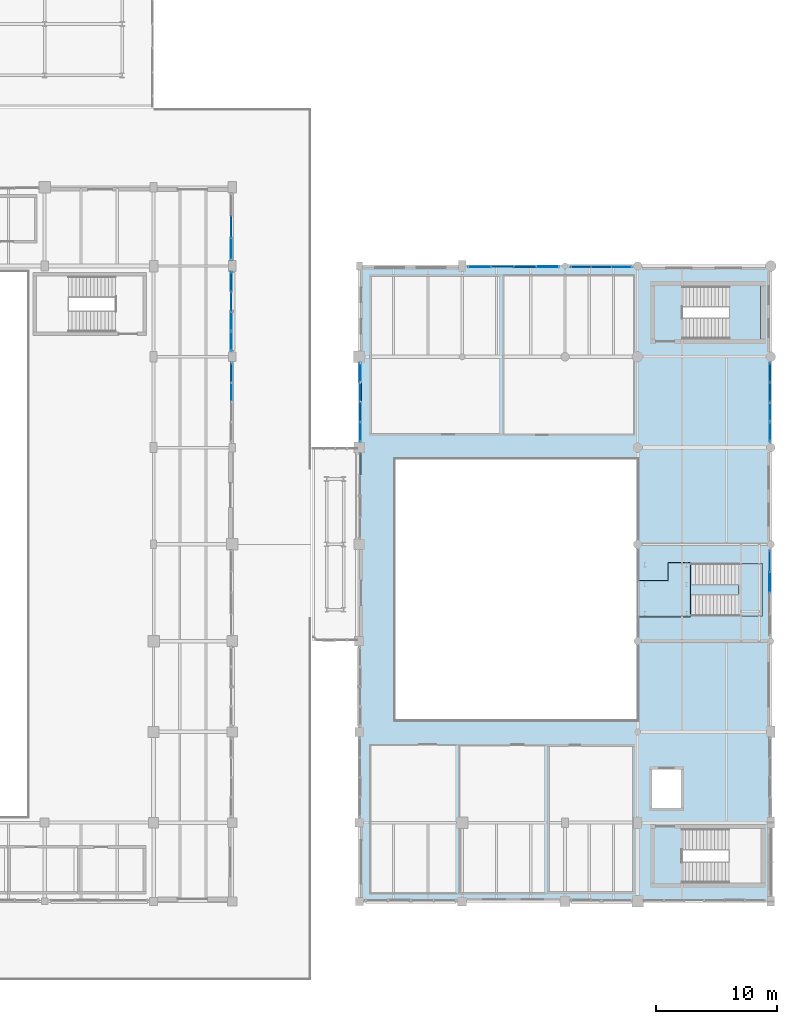
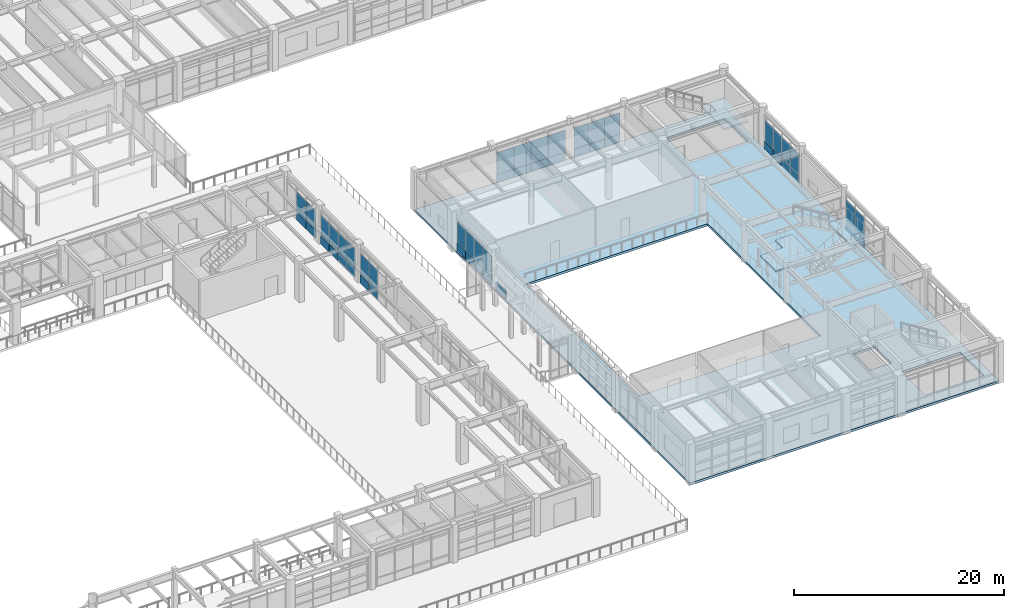
# One storey, part 165 of 200: 51 plates, 4 slabs, 11 elements without a shape of their own.
"""IFC4 building model written with IfcOpenShell, lengths in metres."""

from ifc_helpers import new_model, si_unit, direction, frame, origin, origin_2d, place, context, subcontext, project, spatial, polyline, rectangle, outline, extrude, material, layer, layer_set, type_object, element, aggregate, save


model = new_model("IFC4")

# Units and contexts
model_context = context("Model", 3, precision=1e-05, world=origin(), true_north=direction((0.0, 1.0)))
body_context = subcontext(model_context, "Body", "Model", "MODEL_VIEW")
ifc_project = project(units=[si_unit("LENGTHUNIT", "METRE"), si_unit("AREAUNIT", "SQUARE_METRE"), si_unit("VOLUMEUNIT", "CUBIC_METRE"), si_unit("PLANEANGLEUNIT", "RADIAN"), si_unit("MASSUNIT", "GRAM", prefix="KILO"), si_unit("THERMODYNAMICTEMPERATUREUNIT", "KELVIN"), si_unit("POWERUNIT", "WATT")], contexts=[model_context])

# Site, building, storey
site_placement = place(None, origin())
site = spatial("IfcSite", under=ifc_project, at=site_placement, CompositionType="ELEMENT")
building_placement = place(site_placement, origin())
building = spatial("IfcBuilding", under=site, at=building_placement, Name="Tepalcoro Natatorium and Aquatics Centre", CompositionType="ELEMENT")
storey_placement = place(building_placement, frame((0.0, 0.0, 5.39990234375)))
storey = spatial("IfcBuildingStorey", under=building, at=storey_placement, Name="L01", CompositionType="ELEMENT", Elevation=5.39990234375)

# Curtain wall, plates
ifc_material_1 = material(Name="Bronze-Anodised Extruded Aluminium Alloy EN AW-6063 T6", Category="aluminium")
curtain_wall_type_1 = type_object("IfcCurtainWallType", Name="CW_V4_VILLAGE", PredefinedType="USERDEFINED", material=ifc_material_1)
curtain_wall_1_placement = place(storey_placement, origin())
curtain_wall_1 = element("IfcCurtainWall", 1, at=curtain_wall_1_placement, inside=storey, type_object=curtain_wall_type_1, Name="V1 L01 E Unitised Curtain Wall Bay 7", ObjectType="UNITISED STOREFRONT", PredefinedType="USERDEFINED")
ifc_material_2 = material(Name="Solar-Control Bronze Tempered Low-E Double Glazing", Category="glass")
ifc_layer_1 = layer(ifc_material_2, 0.048095703125)
ifc_layer_set_1 = layer_set([ifc_layer_1], Name="Solar-Control Bronze Tempered Low-E Double Glazing")
plate_type_1 = type_object("IfcPlateType", Name="PL_ACOUSTIC_IGU_48", PredefinedType="CURTAIN_PANEL", material=ifc_layer_set_1)
plate_1_placement = place(storey_placement, frame((131.419921875, 52.797607421875, 0.9599609375), z_axis=(0.0, 0.0, 1.0), x_axis=(1.0, 0.0, 0.0)))
plate_1 = element("IfcPlate", 2, at=plate_1_placement, type_object=plate_type_1, Name="CW_V4_VILLAGE Insulated Glazing Unit", PredefinedType="CURTAIN_PANEL", context=body_context, shape_type="SweptSolid", body=[
    extrude(rectangle(XDim=0.048095703125, YDim=1.614990234375, at=origin_2d()), origin(), (0.0, 0.0, 1.0), 2.39404296875),
])
plate_2_placement = place(storey_placement, frame((131.419921875, 57.702392578125, 0.9599609375), z_axis=(0.0, 0.0, 1.0), x_axis=(1.0, 0.0, 0.0)))
plate_2 = element("IfcPlate", 3, at=plate_2_placement, type_object=plate_type_1, Name="CW_V4_VILLAGE Insulated Glazing Unit", PredefinedType="CURTAIN_PANEL", context=body_context, shape_type="SweptSolid", body=[
    extrude(rectangle(XDim=0.048095703125, YDim=1.614990234375, at=origin_2d()), origin(), (0.0, 0.0, 1.0), 2.39404296875),
])

curtain_wall_type_2 = type_object("IfcCurtainWallType", Name="CW_LEAN_T1_EW", PredefinedType="USERDEFINED", material=ifc_material_1)
curtain_wall_2_placement = place(storey_placement, origin())
curtain_wall_2 = element("IfcCurtainWall", 4, at=curtain_wall_2_placement, inside=storey, type_object=curtain_wall_type_2, Name="V2 L01 N Unitised Curtain Wall Bay 2", ObjectType="FACETED SOLAR GLAZING", PredefinedType="USERDEFINED")
plate_3_placement = place(storey_placement, frame((151.922607421875, 58.9287109375, 0.9599609375), z_axis=(0.0, 0.0, 1.0), x_axis=(1.0, 0.0, 0.0)))
plate_3 = element("IfcPlate", 5, at=plate_3_placement, type_object=plate_type_1, Name="CW_LEAN_T1_EW Insulated Glazing Unit", PredefinedType="CURTAIN_PANEL", context=body_context, shape_type="SweptSolid", body=[
    extrude(rectangle(XDim=1.864990234375, YDim=0.048095703125, at=origin_2d()), origin(), (0.0, 0.0, 1.0), 2.550048828125),
])
plate_4_placement = place(storey_placement, frame((157.577392578125, 58.9287109375, 0.9599609375), z_axis=(0.0, 0.0, 1.0), x_axis=(1.0, 0.0, 0.0)))
plate_4 = element("IfcPlate", 6, at=plate_4_placement, type_object=plate_type_1, Name="CW_LEAN_T1_EW Insulated Glazing Unit", PredefinedType="CURTAIN_PANEL", context=body_context, shape_type="SweptSolid", body=[
    extrude(rectangle(XDim=1.864990234375, YDim=0.048095703125, at=origin_2d()), origin(), (0.0, 0.0, 1.0), 2.550048828125),
])

# Curtain wall, plate
curtain_wall_type_3 = type_object("IfcCurtainWallType", Name="CW_LEAN_T2_NS", PredefinedType="USERDEFINED", material=ifc_material_1)
curtain_wall_3_placement = place(storey_placement, origin())
curtain_wall_3 = element("IfcCurtainWall", 7, at=curtain_wall_3_placement, inside=storey, type_object=curtain_wall_type_3, Name="V2 L01 N Unitised Curtain Wall Bay 3", ObjectType="FACETED SOLAR GLAZING", PredefinedType="USERDEFINED")
plate_5_placement = place(storey_placement, frame((163.679931640625, 58.923828125, 0.9599609375), z_axis=(0.0, 0.0, 1.0), x_axis=(1.0, 0.0, 0.0)))
plate_5 = element("IfcPlate", 8, at=plate_5_placement, type_object=plate_type_1, Name="CW_LEAN_T2_NS Insulated Glazing Unit", PredefinedType="CURTAIN_PANEL", context=body_context, shape_type="SweptSolid", body=[
    extrude(rectangle(XDim=1.659912109375, YDim=0.048095703125, at=origin_2d()), origin(), (0.0, 0.0, 1.0), 2.47412109375),
])

curtain_wall_type_4 = type_object("IfcCurtainWallType", Name="CW_V1_PLINTH", PredefinedType="USERDEFINED", material=ifc_material_1)
curtain_wall_4_placement = place(storey_placement, origin())
curtain_wall_4 = element("IfcCurtainWall", 9, at=curtain_wall_4_placement, inside=storey, type_object=curtain_wall_type_4, Name="V2 L01 W Unitised Curtain Wall Bay 6", ObjectType="UNITISED STOREFRONT", PredefinedType="USERDEFINED")
plate_6_placement = place(storey_placement, frame((142.090087890625, 46.9326171875, 0.960205078125), z_axis=(0.0, 0.0, 1.0), x_axis=(1.0, 0.0, 0.0)))
plate_6 = element("IfcPlate", 10, at=plate_6_placement, type_object=plate_type_1, Name="CW_V1_PLINTH Insulated Glazing Unit", PredefinedType="CURTAIN_PANEL", context=body_context, shape_type="SweptSolid", body=[
    extrude(rectangle(XDim=0.048095703125, YDim=1.614990234375, at=origin_2d()), origin(), (0.0, 0.0, 1.0), 2.39794921875),
])

# Curtain wall, plates
curtain_wall_type_5 = type_object("IfcCurtainWallType", Name="CW_V3_FOYER", PredefinedType="USERDEFINED", material=ifc_material_1)
curtain_wall_5_placement = place(storey_placement, origin())
curtain_wall_5 = element("IfcCurtainWall", 11, at=curtain_wall_5_placement, inside=storey, type_object=curtain_wall_type_5, Name="V2 L01 E Unitised Curtain Wall Bay 6", ObjectType="UNITISED STOREFRONT", PredefinedType="USERDEFINED")
plate_7_placement = place(storey_placement, frame((175.9287109375, 45.297607421875, 0.960205078125), z_axis=(0.0, 0.0, 1.0), x_axis=(1.0, 0.0, 0.0)))
plate_7 = element("IfcPlate", 12, at=plate_7_placement, type_object=plate_type_1, Name="CW_V3_FOYER Insulated Glazing Unit", PredefinedType="CURTAIN_PANEL", context=body_context, shape_type="SweptSolid", body=[
    extrude(rectangle(XDim=0.048095703125, YDim=1.614990234375, at=origin_2d()), origin(), (0.0, 0.0, 1.0), 2.39794921875),
])
plate_8_placement = place(storey_placement, frame((175.9287109375, 50.202392578125, 0.960205078125), z_axis=(0.0, 0.0, 1.0), x_axis=(1.0, 0.0, 0.0)))
plate_8 = element("IfcPlate", 13, at=plate_8_placement, type_object=plate_type_1, Name="CW_V3_FOYER Insulated Glazing Unit", PredefinedType="CURTAIN_PANEL", context=body_context, shape_type="SweptSolid", body=[
    extrude(rectangle(XDim=0.048095703125, YDim=1.614990234375, at=origin_2d()), origin(), (0.0, 0.0, 1.0), 2.39794921875),
])

# Curtain wall, plate
curtain_wall_6_placement = place(storey_placement, origin())
curtain_wall_6 = element("IfcCurtainWall", 14, at=curtain_wall_6_placement, inside=storey, type_object=curtain_wall_type_5, Name="V1 L01 E Unitised Curtain Wall Bay 6", ObjectType="UNITISED STOREFRONT", PredefinedType="USERDEFINED")
ifc_layer_2 = layer(ifc_material_2, 0.028076171875)
ifc_layer_set_2 = layer_set([ifc_layer_2], Name="Solar-Control Bronze Tempered Low-E Double Glazing")
plate_type_2 = type_object("IfcPlateType", Name="PL_BRONZE_IGU_28", PredefinedType="CURTAIN_PANEL", material=ifc_layer_set_2)
plate_9_placement = place(storey_placement, frame((131.4287109375, 50.202392578125, 0.9599609375), z_axis=(0.0, 0.0, 1.0), x_axis=(1.0, 0.0, 0.0)))
plate_9 = element("IfcPlate", 15, at=plate_9_placement, type_object=plate_type_2, Name="CW_V3_FOYER Insulated Glazing Unit", PredefinedType="CURTAIN_PANEL", context=body_context, shape_type="SweptSolid", body=[
    extrude(rectangle(XDim=0.028076171875, YDim=1.614990234375, at=origin_2d()), origin(), (0.0, 0.0, 1.0), 2.469970703125),
])

# Plate
plate_10_placement = place(storey_placement, frame((131.419921875, 56.0673828125, 0.9599609375), z_axis=(0.0, 0.0, 1.0), x_axis=(1.0, 0.0, 0.0)))
plate_10 = element("IfcPlate", 16, at=plate_10_placement, type_object=plate_type_2, Name="CW_V4_VILLAGE Insulated Glazing Unit", PredefinedType="CURTAIN_PANEL", context=body_context, shape_type="SweptSolid", body=[
    extrude(rectangle(XDim=0.028076171875, YDim=1.614990234375, at=origin_2d()), origin(), (0.0, 0.0, 1.0), 2.39404296875),
])

# Curtain wall, plate
curtain_wall_type_6 = type_object("IfcCurtainWallType", Name="CW_V5_LOWER", PredefinedType="USERDEFINED", material=ifc_material_1)
curtain_wall_7_placement = place(storey_placement, origin())
curtain_wall_7 = element("IfcCurtainWall", 17, at=curtain_wall_7_placement, inside=storey, type_object=curtain_wall_type_6, Name="V1 L01 E Unitised Curtain Wall Bay 8", ObjectType="UNITISED STOREFRONT", PredefinedType="USERDEFINED")
plate_11_placement = place(storey_placement, frame((131.419921875, 62.25, 0.9599609375), z_axis=(0.0, 0.0, 1.0), x_axis=(1.0, 0.0, 0.0)))
plate_11 = element("IfcPlate", 18, at=plate_11_placement, type_object=plate_type_2, Name="CW_V5_LOWER Insulated Glazing Unit", PredefinedType="CURTAIN_PANEL", context=body_context, shape_type="SweptSolid", body=[
    extrude(rectangle(XDim=0.028076171875, YDim=1.82666015625, at=origin_2d()), origin(), (0.0, 0.0, 1.0), 2.318115234375),
])

# Plate
plate_12_placement = place(storey_placement, frame((155.6923828125, 58.9287109375, 0.9599609375), z_axis=(0.0, 0.0, 1.0), x_axis=(1.0, 0.0, 0.0)))
plate_12 = element("IfcPlate", 19, at=plate_12_placement, type_object=plate_type_2, Name="CW_LEAN_T1_EW Insulated Glazing Unit", PredefinedType="CURTAIN_PANEL", context=body_context, shape_type="SweptSolid", body=[
    extrude(rectangle(XDim=1.864990234375, YDim=0.028076171875, at=origin_2d()), origin(), (0.0, 0.0, 1.0), 2.550048828125),
])

plate_13_placement = place(storey_placement, frame((162.0, 58.923828125, 0.9599609375), z_axis=(0.0, 0.0, 1.0), x_axis=(1.0, 0.0, 0.0)))
plate_13 = element("IfcPlate", 20, at=plate_13_placement, type_object=plate_type_2, Name="CW_LEAN_T2_NS Insulated Glazing Unit", PredefinedType="CURTAIN_PANEL", context=body_context, shape_type="SweptSolid", body=[
    extrude(rectangle(XDim=1.659912109375, YDim=0.028076171875, at=origin_2d()), origin(), (0.0, 0.0, 1.0), 2.47412109375),
])

plate_14_placement = place(storey_placement, frame((142.090087890625, 45.297607421875, 0.960205078125), z_axis=(0.0, 0.0, 1.0), x_axis=(1.0, 0.0, 0.0)))
plate_14 = element("IfcPlate", 21, at=plate_14_placement, type_object=plate_type_2, Name="CW_V1_PLINTH Insulated Glazing Unit", PredefinedType="CURTAIN_PANEL", context=body_context, shape_type="SweptSolid", body=[
    extrude(rectangle(XDim=0.028076171875, YDim=1.614990234375, at=origin_2d()), origin(), (0.0, 0.0, 1.0), 2.39794921875),
])

plate_15_placement = place(storey_placement, frame((142.090087890625, 50.202392578125, 0.960205078125), z_axis=(0.0, 0.0, 1.0), x_axis=(1.0, 0.0, 0.0)))
plate_15 = element("IfcPlate", 22, at=plate_15_placement, type_object=plate_type_2, Name="CW_V1_PLINTH Insulated Glazing Unit", PredefinedType="CURTAIN_PANEL", context=body_context, shape_type="SweptSolid", body=[
    extrude(rectangle(XDim=0.028076171875, YDim=1.614990234375, at=origin_2d()), origin(), (0.0, 0.0, 1.0), 2.39794921875),
])

# Curtain wall, plate
curtain_wall_8_placement = place(storey_placement, origin())
curtain_wall_8 = element("IfcCurtainWall", 23, at=curtain_wall_8_placement, inside=storey, type_object=curtain_wall_type_4, Name="V2 L01 E Unitised Curtain Wall Bay 4", ObjectType="UNITISED STOREFRONT", PredefinedType="USERDEFINED")
plate_16_placement = place(storey_placement, frame((175.909912109375, 34.639892578125, 0.9599609375), z_axis=(0.0, 0.0, 1.0), x_axis=(1.0, 0.0, 0.0)))
plate_16 = element("IfcPlate", 24, at=plate_16_placement, type_object=plate_type_2, Name="CW_V1_PLINTH Insulated Glazing Unit", PredefinedType="CURTAIN_PANEL", context=body_context, shape_type="SweptSolid", body=[
    extrude(rectangle(XDim=0.028076171875, YDim=1.739990234375, at=origin_2d()), origin(), (0.0, 0.0, 1.0), 2.550048828125),
])

# Plate
plate_17_placement = place(storey_placement, frame((175.9287109375, 48.5673828125, 0.960205078125), z_axis=(0.0, 0.0, 1.0), x_axis=(1.0, 0.0, 0.0)))
plate_17 = element("IfcPlate", 25, at=plate_17_placement, type_object=plate_type_2, Name="CW_V3_FOYER Insulated Glazing Unit", PredefinedType="CURTAIN_PANEL", context=body_context, shape_type="SweptSolid", body=[
    extrude(rectangle(XDim=0.028076171875, YDim=1.614990234375, at=origin_2d()), origin(), (0.0, 0.0, 1.0), 2.39794921875),
])

ifc_material_3 = material(Name="Jalisco Cantera Rosa Volcanic Tuff Ashlar Masonry", Category="masonry")
ifc_layer_3 = layer(ifc_material_3, 0.090087890625)
ifc_layer_set_3 = layer_set([ifc_layer_3], Name="Jalisco Cantera Rosa Volcanic Tuff Ashlar Masonry")
plate_type_3 = type_object("IfcPlateType", Name="PL_CANTERA_90", PredefinedType="SHEET", material=ifc_layer_set_3)
plate_18_placement = place(storey_placement, frame((131.4287109375, 50.202392578125, 0.044921875), z_axis=(0.0, 0.0, 1.0), x_axis=(1.0, 0.0, 0.0)))
plate_18 = element("IfcPlate", 26, at=plate_18_placement, type_object=plate_type_3, Name="CW_V3_FOYER Spandrel & Screen Panel", PredefinedType="SHEET", context=body_context, shape_type="SweptSolid", body=[
    extrude(rectangle(XDim=0.090087890625, YDim=1.614990234375, at=origin_2d()), origin(), (0.0, 0.0, 1.0), 0.909912109375),
])

plate_19_placement = place(storey_placement, frame((131.419921875, 56.0673828125, 0.044921875), z_axis=(0.0, 0.0, 1.0), x_axis=(1.0, 0.0, 0.0)))
plate_19 = element("IfcPlate", 27, at=plate_19_placement, type_object=plate_type_3, Name="CW_V4_VILLAGE Spandrel & Screen Panel", PredefinedType="SHEET", context=body_context, shape_type="SweptSolid", body=[
    extrude(rectangle(XDim=0.090087890625, YDim=1.614990234375, at=origin_2d()), origin(), (0.0, 0.0, 1.0), 0.909912109375),
])

plate_20_placement = place(storey_placement, frame((131.419921875, 62.25, 0.044921875), z_axis=(0.0, 0.0, 1.0), x_axis=(1.0, 0.0, 0.0)))
plate_20 = element("IfcPlate", 28, at=plate_20_placement, type_object=plate_type_3, Name="CW_V5_LOWER Spandrel & Screen Panel", PredefinedType="SHEET", context=body_context, shape_type="SweptSolid", body=[
    extrude(rectangle(XDim=0.090087890625, YDim=1.82666015625, at=origin_2d()), origin(), (0.0, 0.0, 1.0), 0.909912109375),
])

plate_21_placement = place(storey_placement, frame((153.8076171875, 58.9287109375, 0.044921875), z_axis=(0.0, 0.0, 1.0), x_axis=(1.0, 0.0, 0.0)))
plate_21 = element("IfcPlate", 29, at=plate_21_placement, type_object=plate_type_3, Name="CW_LEAN_T1_EW Spandrel & Screen Panel", PredefinedType="SHEET", context=body_context, shape_type="SweptSolid", body=[
    extrude(rectangle(XDim=1.864990234375, YDim=0.090087890625, at=origin_2d()), origin(), (0.0, 0.0, 1.0), 0.909912109375),
])

plate_22_placement = place(storey_placement, frame((160.320068359375, 58.923828125, 0.044921875), z_axis=(0.0, 0.0, 1.0), x_axis=(1.0, 0.0, 0.0)))
plate_22 = element("IfcPlate", 30, at=plate_22_placement, type_object=plate_type_3, Name="CW_LEAN_T2_NS Spandrel & Screen Panel", PredefinedType="SHEET", context=body_context, shape_type="SweptSolid", body=[
    extrude(rectangle(XDim=1.659912109375, YDim=0.090087890625, at=origin_2d()), origin(), (0.0, 0.0, 1.0), 0.909912109375),
])

plate_23_placement = place(storey_placement, frame((142.090087890625, 46.9326171875, 0.044921875), z_axis=(0.0, 0.0, 1.0), x_axis=(1.0, 0.0, 0.0)))
plate_23 = element("IfcPlate", 31, at=plate_23_placement, type_object=plate_type_3, Name="CW_V1_PLINTH Spandrel & Screen Panel", PredefinedType="SHEET", context=body_context, shape_type="SweptSolid", body=[
    extrude(rectangle(XDim=0.090087890625, YDim=1.614990234375, at=origin_2d()), origin(), (0.0, 0.0, 1.0), 0.909912109375),
])

plate_24_placement = place(storey_placement, frame((175.909912109375, 34.639892578125, 0.044921875), z_axis=(0.0, 0.0, 1.0), x_axis=(1.0, 0.0, 0.0)))
plate_24 = element("IfcPlate", 32, at=plate_24_placement, type_object=plate_type_3, Name="CW_V1_PLINTH Spandrel & Screen Panel", PredefinedType="SHEET", context=body_context, shape_type="SweptSolid", body=[
    extrude(rectangle(XDim=0.090087890625, YDim=1.739990234375, at=origin_2d()), origin(), (0.0, 0.0, 1.0), 0.909912109375),
])

plate_25_placement = place(storey_placement, frame((175.9287109375, 48.5673828125, 0.044921875), z_axis=(0.0, 0.0, 1.0), x_axis=(1.0, 0.0, 0.0)))
plate_25 = element("IfcPlate", 33, at=plate_25_placement, type_object=plate_type_3, Name="CW_V3_FOYER Spandrel & Screen Panel", PredefinedType="SHEET", context=body_context, shape_type="SweptSolid", body=[
    extrude(rectangle(XDim=0.090087890625, YDim=1.614990234375, at=origin_2d()), origin(), (0.0, 0.0, 1.0), 0.909912109375),
])

ifc_material_4 = material(Name="Clear Tempered Low-E Safety Glazing", Category="glass")
ifc_layer_4 = layer(ifc_material_4, 0.011962890625)
ifc_layer_set_4 = layer_set([ifc_layer_4], Name="Clear Tempered Low-E Safety Glazing")
plate_type_4 = type_object("IfcPlateType", Name="PL_GLASS_12", PredefinedType="CURTAIN_PANEL", material=ifc_layer_set_4)
plate_26_placement = place(storey_placement, frame((131.4287109375, 48.5673828125, 0.9599609375), z_axis=(0.0, 0.0, 1.0), x_axis=(1.0, 0.0, 0.0)))
plate_26 = element("IfcPlate", 34, at=plate_26_placement, type_object=plate_type_4, Name="CW_V3_FOYER Insulated Glazing Unit", PredefinedType="CURTAIN_PANEL", context=body_context, shape_type="SweptSolid", body=[
    extrude(rectangle(XDim=0.011962890625, YDim=1.614990234375, at=origin_2d()), origin(), (0.0, 0.0, 1.0), 2.469970703125),
])

plate_27_placement = place(storey_placement, frame((131.419921875, 54.4326171875, 0.9599609375), z_axis=(0.0, 0.0, 1.0), x_axis=(1.0, 0.0, 0.0)))
plate_27 = element("IfcPlate", 35, at=plate_27_placement, type_object=plate_type_4, Name="CW_V4_VILLAGE Insulated Glazing Unit", PredefinedType="CURTAIN_PANEL", context=body_context, shape_type="SweptSolid", body=[
    extrude(rectangle(XDim=0.011962890625, YDim=1.614990234375, at=origin_2d()), origin(), (0.0, 0.0, 1.0), 2.39404296875),
])

plate_28_placement = place(storey_placement, frame((131.419921875, 60.4033203125, 0.9599609375), z_axis=(0.0, 0.0, 1.0), x_axis=(1.0, 0.0, 0.0)))
plate_28 = element("IfcPlate", 36, at=plate_28_placement, type_object=plate_type_4, Name="CW_V5_LOWER Insulated Glazing Unit", PredefinedType="CURTAIN_PANEL", context=body_context, shape_type="SweptSolid", body=[
    extrude(rectangle(XDim=0.011962890625, YDim=1.82666015625, at=origin_2d()), origin(), (0.0, 0.0, 1.0), 2.318115234375),
])

plate_29_placement = place(storey_placement, frame((153.8076171875, 58.9287109375, 0.9599609375), z_axis=(0.0, 0.0, 1.0), x_axis=(1.0, 0.0, 0.0)))
plate_29 = element("IfcPlate", 37, at=plate_29_placement, type_object=plate_type_4, Name="CW_LEAN_T1_EW Insulated Glazing Unit", PredefinedType="CURTAIN_PANEL", context=body_context, shape_type="SweptSolid", body=[
    extrude(rectangle(XDim=1.864990234375, YDim=0.011962890625, at=origin_2d()), origin(), (0.0, 0.0, 1.0), 2.550048828125),
])

plate_30_placement = place(storey_placement, frame((160.320068359375, 58.923828125, 0.9599609375), z_axis=(0.0, 0.0, 1.0), x_axis=(1.0, 0.0, 0.0)))
plate_30 = element("IfcPlate", 38, at=plate_30_placement, type_object=plate_type_4, Name="CW_LEAN_T2_NS Insulated Glazing Unit", PredefinedType="CURTAIN_PANEL", context=body_context, shape_type="SweptSolid", body=[
    extrude(rectangle(XDim=1.659912109375, YDim=0.011962890625, at=origin_2d()), origin(), (0.0, 0.0, 1.0), 2.47412109375),
])

plate_31_placement = place(storey_placement, frame((142.090087890625, 48.5673828125, 0.960205078125), z_axis=(0.0, 0.0, 1.0), x_axis=(1.0, 0.0, 0.0)))
plate_31 = element("IfcPlate", 39, at=plate_31_placement, type_object=plate_type_4, Name="CW_V1_PLINTH Insulated Glazing Unit", PredefinedType="CURTAIN_PANEL", context=body_context, shape_type="SweptSolid", body=[
    extrude(rectangle(XDim=0.011962890625, YDim=1.614990234375, at=origin_2d()), origin(), (0.0, 0.0, 1.0), 2.39794921875),
])

plate_32_placement = place(storey_placement, frame((175.909912109375, 32.8798828125, 0.9599609375), z_axis=(0.0, 0.0, 1.0), x_axis=(1.0, 0.0, 0.0)))
plate_32 = element("IfcPlate", 40, at=plate_32_placement, type_object=plate_type_4, Name="CW_V1_PLINTH Insulated Glazing Unit", PredefinedType="CURTAIN_PANEL", context=body_context, shape_type="SweptSolid", body=[
    extrude(rectangle(XDim=0.011962890625, YDim=1.739990234375, at=origin_2d()), origin(), (0.0, 0.0, 1.0), 2.550048828125),
])

plate_33_placement = place(storey_placement, frame((175.9287109375, 46.9326171875, 0.960205078125), z_axis=(0.0, 0.0, 1.0), x_axis=(1.0, 0.0, 0.0)))
plate_33 = element("IfcPlate", 41, at=plate_33_placement, type_object=plate_type_4, Name="CW_V3_FOYER Insulated Glazing Unit", PredefinedType="CURTAIN_PANEL", context=body_context, shape_type="SweptSolid", body=[
    extrude(rectangle(XDim=0.011962890625, YDim=1.614990234375, at=origin_2d()), origin(), (0.0, 0.0, 1.0), 2.39794921875),
])

ifc_material_5 = material(Name="Volcanic Recinto Basalt Ashlar Masonry", Category="masonry")
ifc_layer_5 = layer(ifc_material_5, 0.110107421875)
ifc_layer_set_5 = layer_set([ifc_layer_5], Name="Volcanic Recinto Basalt Ashlar Masonry")
plate_type_5 = type_object("IfcPlateType", Name="PL_RECINTO_110", PredefinedType="SHEET", material=ifc_layer_set_5)
plate_34_placement = place(storey_placement, frame((131.419921875, 57.702392578125, 0.044921875), z_axis=(0.0, 0.0, 1.0), x_axis=(1.0, 0.0, 0.0)))
plate_34 = element("IfcPlate", 42, at=plate_34_placement, type_object=plate_type_5, Name="CW_V4_VILLAGE Spandrel & Screen Panel", PredefinedType="SHEET", context=body_context, shape_type="SweptSolid", body=[
    extrude(rectangle(XDim=0.110107421875, YDim=1.614990234375, at=origin_2d()), origin(), (0.0, 0.0, 1.0), 0.909912109375),
])

plate_35_placement = place(storey_placement, frame((155.6923828125, 58.9287109375, 0.044921875), z_axis=(0.0, 0.0, 1.0), x_axis=(1.0, 0.0, 0.0)))
plate_35 = element("IfcPlate", 43, at=plate_35_placement, type_object=plate_type_5, Name="CW_LEAN_T1_EW Spandrel & Screen Panel", PredefinedType="SHEET", context=body_context, shape_type="SweptSolid", body=[
    extrude(rectangle(XDim=1.864990234375, YDim=0.110107421875, at=origin_2d()), origin(), (0.0, 0.0, 1.0), 0.909912109375),
])

plate_36_placement = place(storey_placement, frame((162.0, 58.923828125, 0.044921875), z_axis=(0.0, 0.0, 1.0), x_axis=(1.0, 0.0, 0.0)))
plate_36 = element("IfcPlate", 44, at=plate_36_placement, type_object=plate_type_5, Name="CW_LEAN_T2_NS Spandrel & Screen Panel", PredefinedType="SHEET", context=body_context, shape_type="SweptSolid", body=[
    extrude(rectangle(XDim=1.659912109375, YDim=0.110107421875, at=origin_2d()), origin(), (0.0, 0.0, 1.0), 0.909912109375),
])

# Curtain wall, plate
curtain_wall_type_7 = type_object("IfcCurtainWallType", Name="CW_LEAN_T2_EW", PredefinedType="USERDEFINED", material=ifc_material_1)
curtain_wall_9_placement = place(storey_placement, origin())
curtain_wall_9 = element("IfcCurtainWall", 45, at=curtain_wall_9_placement, inside=storey, type_object=curtain_wall_type_7, Name="V2 L01 W Unitised Curtain Wall Bay 5", ObjectType="FACETED SOLAR GLAZING", PredefinedType="USERDEFINED")
plate_37_placement = place(storey_placement, frame((142.0712890625, 42.639892578125, 0.044921875), z_axis=(0.0, 0.0, 1.0), x_axis=(1.0, 0.0, 0.0)))
plate_37 = element("IfcPlate", 46, at=plate_37_placement, type_object=plate_type_5, Name="CW_LEAN_T2_EW Spandrel & Screen Panel", PredefinedType="SHEET", context=body_context, shape_type="SweptSolid", body=[
    extrude(rectangle(XDim=0.110107421875, YDim=1.739990234375, at=origin_2d()), origin(), (0.0, 0.0, 1.0), 0.909912109375),
])
aggregate(curtain_wall_9, [plate_37])

# Plate
plate_38_placement = place(storey_placement, frame((142.090087890625, 48.5673828125, 0.044921875), z_axis=(0.0, 0.0, 1.0), x_axis=(1.0, 0.0, 0.0)))
plate_38 = element("IfcPlate", 47, at=plate_38_placement, type_object=plate_type_5, Name="CW_V1_PLINTH Spandrel & Screen Panel", PredefinedType="SHEET", context=body_context, shape_type="SweptSolid", body=[
    extrude(rectangle(XDim=0.110107421875, YDim=1.614990234375, at=origin_2d()), origin(), (0.0, 0.0, 1.0), 0.909912109375),
])

plate_39_placement = place(storey_placement, frame((175.9287109375, 50.202392578125, 0.044921875), z_axis=(0.0, 0.0, 1.0), x_axis=(1.0, 0.0, 0.0)))
plate_39 = element("IfcPlate", 48, at=plate_39_placement, type_object=plate_type_5, Name="CW_V3_FOYER Spandrel & Screen Panel", PredefinedType="SHEET", context=body_context, shape_type="SweptSolid", body=[
    extrude(rectangle(XDim=0.110107421875, YDim=1.614990234375, at=origin_2d()), origin(), (0.0, 0.0, 1.0), 0.909912109375),
])

ifc_layer_6 = layer(ifc_material_1, 0.050048828125)
ifc_layer_set_6 = layer_set([ifc_layer_6], Name="Bronze-Anodised Extruded Aluminium Alloy EN AW-6063 T6")
plate_type_6 = type_object("IfcPlateType", Name="PL_SCREEN_50", PredefinedType="SHEET", material=ifc_layer_set_6)
plate_40_placement = place(storey_placement, frame((131.419921875, 52.797607421875, 0.044921875), z_axis=(0.0, 0.0, 1.0), x_axis=(1.0, 0.0, 0.0)))
plate_40 = element("IfcPlate", 49, at=plate_40_placement, type_object=plate_type_6, Name="CW_V4_VILLAGE Spandrel & Screen Panel", PredefinedType="SHEET", context=body_context, shape_type="SweptSolid", body=[
    extrude(rectangle(XDim=0.050048828125, YDim=1.614990234375, at=origin_2d()), origin(), (0.0, 0.0, 1.0), 0.909912109375),
])

plate_41_placement = place(storey_placement, frame((175.9287109375, 45.297607421875, 0.044921875), z_axis=(0.0, 0.0, 1.0), x_axis=(1.0, 0.0, 0.0)))
plate_41 = element("IfcPlate", 50, at=plate_41_placement, type_object=plate_type_6, Name="CW_V3_FOYER Spandrel & Screen Panel", PredefinedType="SHEET", context=body_context, shape_type="SweptSolid", body=[
    extrude(rectangle(XDim=0.050048828125, YDim=1.614990234375, at=origin_2d()), origin(), (0.0, 0.0, 1.0), 0.909912109375),
])

ifc_layer_7 = layer(ifc_material_1, 0.06005859375)
ifc_layer_set_7 = layer_set([ifc_layer_7], Name="Bronze-Anodised Extruded Aluminium Alloy EN AW-6063 T6")
plate_type_7 = type_object("IfcPlateType", Name="PL_SCREEN_60", PredefinedType="SHEET", material=ifc_layer_set_7)
plate_42_placement = place(storey_placement, frame((131.4287109375, 48.5673828125, 0.044921875), z_axis=(0.0, 0.0, 1.0), x_axis=(1.0, 0.0, 0.0)))
plate_42 = element("IfcPlate", 51, at=plate_42_placement, type_object=plate_type_7, Name="CW_V3_FOYER Spandrel & Screen Panel", PredefinedType="SHEET", context=body_context, shape_type="SweptSolid", body=[
    extrude(rectangle(XDim=0.06005859375, YDim=1.614990234375, at=origin_2d()), origin(), (0.0, 0.0, 1.0), 0.909912109375),
])

aggregate(curtain_wall_6, [plate_26, plate_42, plate_9, plate_18])

plate_43_placement = place(storey_placement, frame((131.419921875, 54.4326171875, 0.044921875), z_axis=(0.0, 0.0, 1.0), x_axis=(1.0, 0.0, 0.0)))
plate_43 = element("IfcPlate", 52, at=plate_43_placement, type_object=plate_type_7, Name="CW_V4_VILLAGE Spandrel & Screen Panel", PredefinedType="SHEET", context=body_context, shape_type="SweptSolid", body=[
    extrude(rectangle(XDim=0.06005859375, YDim=1.614990234375, at=origin_2d()), origin(), (0.0, 0.0, 1.0), 0.909912109375),
])

aggregate(curtain_wall_1, [plate_1, plate_40, plate_27, plate_43, plate_10, plate_19, plate_2, plate_34])

plate_44_placement = place(storey_placement, frame((131.419921875, 60.4033203125, 0.044921875), z_axis=(0.0, 0.0, 1.0), x_axis=(1.0, 0.0, 0.0)))
plate_44 = element("IfcPlate", 53, at=plate_44_placement, type_object=plate_type_7, Name="CW_V5_LOWER Spandrel & Screen Panel", PredefinedType="SHEET", context=body_context, shape_type="SweptSolid", body=[
    extrude(rectangle(XDim=0.06005859375, YDim=1.82666015625, at=origin_2d()), origin(), (0.0, 0.0, 1.0), 0.909912109375),
])

aggregate(curtain_wall_7, [plate_28, plate_44, plate_11, plate_20])

plate_45_placement = place(storey_placement, frame((151.922607421875, 58.9287109375, 0.044921875), z_axis=(0.0, 0.0, 1.0), x_axis=(1.0, 0.0, 0.0)))
plate_45 = element("IfcPlate", 54, at=plate_45_placement, type_object=plate_type_7, Name="CW_LEAN_T1_EW Spandrel & Screen Panel", PredefinedType="SHEET", context=body_context, shape_type="SweptSolid", body=[
    extrude(rectangle(XDim=1.864990234375, YDim=0.06005859375, at=origin_2d()), origin(), (0.0, 0.0, 1.0), 0.909912109375),
])

plate_46_placement = place(storey_placement, frame((142.090087890625, 45.297607421875, 0.044921875), z_axis=(0.0, 0.0, 1.0), x_axis=(1.0, 0.0, 0.0)))
plate_46 = element("IfcPlate", 55, at=plate_46_placement, type_object=plate_type_7, Name="CW_V1_PLINTH Spandrel & Screen Panel", PredefinedType="SHEET", context=body_context, shape_type="SweptSolid", body=[
    extrude(rectangle(XDim=0.06005859375, YDim=1.614990234375, at=origin_2d()), origin(), (0.0, 0.0, 1.0), 0.909912109375),
])

plate_47_placement = place(storey_placement, frame((175.909912109375, 32.8798828125, 0.044921875), z_axis=(0.0, 0.0, 1.0), x_axis=(1.0, 0.0, 0.0)))
plate_47 = element("IfcPlate", 56, at=plate_47_placement, type_object=plate_type_7, Name="CW_V1_PLINTH Spandrel & Screen Panel", PredefinedType="SHEET", context=body_context, shape_type="SweptSolid", body=[
    extrude(rectangle(XDim=0.06005859375, YDim=1.739990234375, at=origin_2d()), origin(), (0.0, 0.0, 1.0), 0.909912109375),
])

aggregate(curtain_wall_8, [plate_32, plate_47, plate_16, plate_24])

plate_48_placement = place(storey_placement, frame((175.9287109375, 46.9326171875, 0.044921875), z_axis=(0.0, 0.0, 1.0), x_axis=(1.0, 0.0, 0.0)))
plate_48 = element("IfcPlate", 57, at=plate_48_placement, type_object=plate_type_7, Name="CW_V3_FOYER Spandrel & Screen Panel", PredefinedType="SHEET", context=body_context, shape_type="SweptSolid", body=[
    extrude(rectangle(XDim=0.06005859375, YDim=1.614990234375, at=origin_2d()), origin(), (0.0, 0.0, 1.0), 0.909912109375),
])

aggregate(curtain_wall_5, [plate_7, plate_41, plate_33, plate_48, plate_17, plate_25, plate_8, plate_39])

ifc_material_6 = material(Name="Insulated Bronze Anodised Aluminium Spandrel Panel", Category="aluminium")
ifc_layer_8 = layer(ifc_material_6, 0.070068359375)
ifc_layer_set_8 = layer_set([ifc_layer_8], Name="Insulated Bronze Anodised Aluminium Spandrel Panel")
plate_type_8 = type_object("IfcPlateType", Name="PL_SPANDREL_70", PredefinedType="CURTAIN_PANEL", material=ifc_layer_set_8)
plate_49_placement = place(storey_placement, frame((157.577392578125, 58.9287109375, 0.044921875), z_axis=(0.0, 0.0, 1.0), x_axis=(1.0, 0.0, 0.0)))
plate_49 = element("IfcPlate", 58, at=plate_49_placement, type_object=plate_type_8, Name="CW_LEAN_T1_EW Spandrel & Screen Panel", PredefinedType="CURTAIN_PANEL", context=body_context, shape_type="SweptSolid", body=[
    extrude(rectangle(XDim=1.864990234375, YDim=0.070068359375, at=origin_2d()), origin(), (0.0, 0.0, 1.0), 0.909912109375),
])

aggregate(curtain_wall_2, [plate_3, plate_45, plate_29, plate_21, plate_12, plate_35, plate_4, plate_49])

plate_50_placement = place(storey_placement, frame((163.679931640625, 58.923828125, 0.044921875), z_axis=(0.0, 0.0, 1.0), x_axis=(1.0, 0.0, 0.0)))
plate_50 = element("IfcPlate", 59, at=plate_50_placement, type_object=plate_type_8, Name="CW_LEAN_T2_NS Spandrel & Screen Panel", PredefinedType="CURTAIN_PANEL", context=body_context, shape_type="SweptSolid", body=[
    extrude(rectangle(XDim=1.659912109375, YDim=0.070068359375, at=origin_2d()), origin(), (0.0, 0.0, 1.0), 0.909912109375),
])

aggregate(curtain_wall_3, [plate_30, plate_22, plate_13, plate_36, plate_5, plate_50])

plate_51_placement = place(storey_placement, frame((142.090087890625, 50.202392578125, 0.044921875), z_axis=(0.0, 0.0, 1.0), x_axis=(1.0, 0.0, 0.0)))
plate_51 = element("IfcPlate", 60, at=plate_51_placement, type_object=plate_type_8, Name="CW_V1_PLINTH Spandrel & Screen Panel", PredefinedType="CURTAIN_PANEL", context=body_context, shape_type="SweptSolid", body=[
    extrude(rectangle(XDim=0.070068359375, YDim=1.614990234375, at=origin_2d()), origin(), (0.0, 0.0, 1.0), 0.909912109375),
])

aggregate(curtain_wall_4, [plate_14, plate_46, plate_6, plate_23, plate_31, plate_38, plate_15, plate_51])

# Slabs
ifc_material_7 = material(Name="Concrete C35/45 (fc 35 MPa)", Category="concrete")
ifc_layer_9 = layer(ifc_material_7, 0.260009765625)
ifc_layer_set_9 = layer_set([ifc_layer_9], Name="Concrete C35/45 (fc 35 MPa)")
slab_type_1 = type_object("IfcSlabType", Name="SL_FLOOR_260", PredefinedType="FLOOR", material=ifc_layer_set_9)
slab_1_placement = place(storey_placement, frame((0.0, 0.0, -0.260009765625)))
element("IfcSlab", 61, at=slab_1_placement, inside=storey, type_object=slab_type_1, Name="V2 L01 Natatorium and Civic Floor Slab MAIN", PredefinedType="FLOOR", context=body_context, shape_type="SweptSolid", body=[
    extrude(outline(polyline([(176.0, 6.5), (142.0, 6.5), (142.0, 59.0), (176.0, 59.0), (176.0, 6.5)]), holes=[polyline([(145.0, 21.5), (165.0, 21.5), (165.0, 43.0), (145.0, 43.0), (145.0, 21.5)]), polyline([(168.679931640625, 12.5), (168.679931640625, 8.0), (175.199951171875, 8.0), (175.199951171875, 12.5), (168.679931640625, 12.5)]), polyline([(175.14990234375, 57.35009765625), (168.72998046875, 57.35009765625), (168.72998046875, 52.949951171875), (175.14990234375, 52.949951171875), (175.14990234375, 57.35009765625)]), polyline([(168.60009765625, 14.199951171875), (168.60009765625, 17.39990234375), (166.199951171875, 17.39990234375), (166.199951171875, 14.199951171875), (168.60009765625, 14.199951171875)])]), origin(), (0.0, 0.0, 1.0), 0.260009765625),
])
ifc_layer_10 = layer(ifc_material_7, 0.199951171875)
ifc_layer_set_10 = layer_set([ifc_layer_10], Name="Concrete C35/45 (fc 35 MPa)")
slab_type_2 = type_object("IfcSlabType", Name="SL_LANDING_200", PredefinedType="LANDING", material=ifc_layer_set_10)
slab_2_placement = place(storey_placement, frame((0.0, 0.0, 2.2001953125)))
element("IfcSlab", 62, at=slab_2_placement, inside=storey, type_object=slab_type_2, Name="V2 7.5m Diving Platform Slab", PredefinedType="FLOOR", context=body_context, shape_type="SweptSolid", body=[
    extrude(outline(polyline([(165.0, 30.0), (169.3798828125, 30.0), (169.3798828125, 34.5), (167.5, 34.5), (167.5, 33.0), (165.0, 33.0), (165.0, 30.0)])), origin(), (0.0, 0.0, 1.0), 0.199951171875),
])

# Stair, slab
stair_type_1 = type_object("IfcStairType", Name="ST_RC_1800_B1", PredefinedType="HALF_TURN_STAIR", material=ifc_material_7)
stair_1_placement = place(storey_placement, origin())
stair_1 = element("IfcStair", 63, at=stair_1_placement, inside=storey, type_object=stair_type_1, Name="Diving Wing North Fire Stair (L01 to L02)", PredefinedType="HALF_TURN_STAIR")
slab_3_placement = place(storey_placement, frame((0.0, 0.0, 2.2001953125)))
slab_3 = element("IfcSlab", 64, at=slab_3_placement, type_object=slab_type_2, Name="Diving Wing North Fire Stair (L01 to L02) Half-Landing", PredefinedType="LANDING", context=body_context, shape_type="SweptSolid", body=[
    extrude(outline(polyline([(172.56005859375, 52.929931640625), (175.169921875, 52.929931640625), (175.169921875, 57.3701171875), (172.56005859375, 57.3701171875), (172.56005859375, 52.929931640625)])), origin(), (0.0, 0.0, 1.0), 0.199951171875),
])
aggregate(stair_1, [slab_3])

stair_type_2 = type_object("IfcStairType", Name="ST_ST_1800_VOM1", PredefinedType="STRAIGHT_RUN_STAIR", material=ifc_material_7)
stair_2_placement = place(storey_placement, origin())
stair_2 = element("IfcStair", 65, at=stair_2_placement, inside=storey, type_object=stair_type_2, Name="Diving Platform Tower Stair", PredefinedType="STRAIGHT_RUN_STAIR")
slab_4_placement = place(storey_placement, frame((0.0, 0.0, 2.2001953125)))
slab_4 = element("IfcSlab", 66, at=slab_4_placement, type_object=slab_type_2, Name="Diving Platform Tower Stair Half-Landing", PredefinedType="LANDING", context=body_context, shape_type="SweptSolid", body=[
    extrude(outline(polyline([(173.320068359375, 30.070068359375), (175.330078125, 30.070068359375), (175.330078125, 34.429931640625), (173.320068359375, 34.429931640625), (173.320068359375, 30.070068359375)])), origin(), (0.0, 0.0, 1.0), 0.199951171875),
])
aggregate(stair_2, [slab_4])

save(model, "model.ifc")
